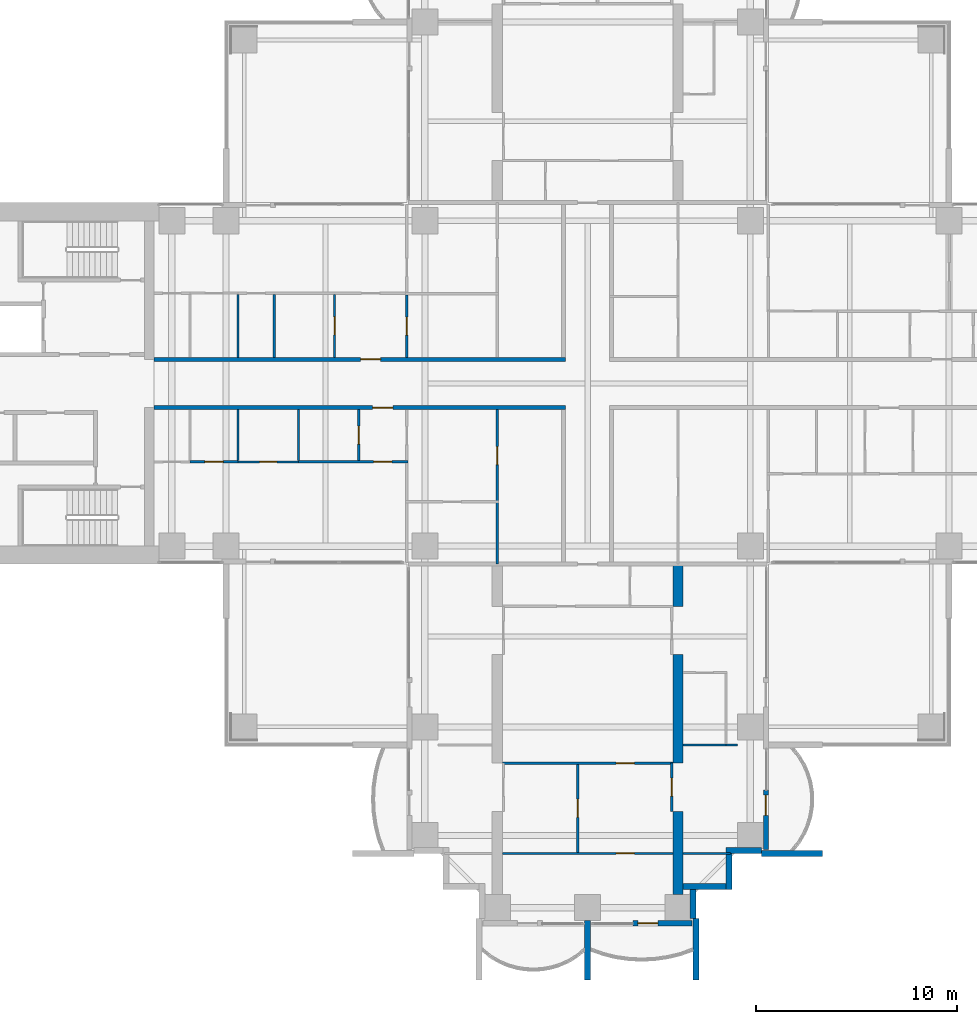
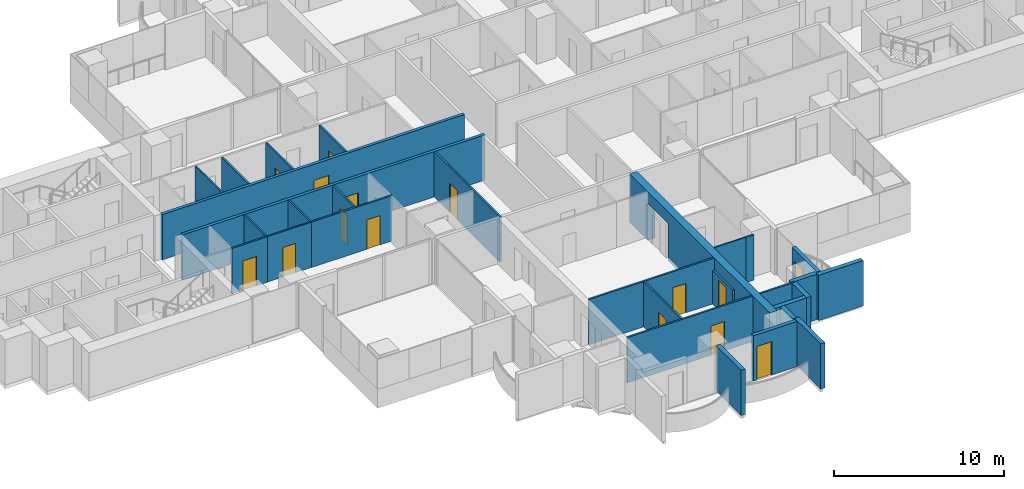
# One storey, part 11 of 20: 30 walls, 15 doors, 15 openings.
"""IFC4 building model written with IfcOpenShell, lengths in metres."""

from ifc_helpers import new_model, si_unit, direction, frame, frame_2d, origin, place, context, subcontext, project, spatial, polyline, rectangle, outline, extrude, material, layer, layer_set, material_profile, profile_set, type_object, element, fill, save


model = new_model("IFC4")

# Units and contexts
model_context = context("Model", 3, precision=1e-05, world=origin(), true_north=direction((0.0, 1.0)))
body_context = subcontext(model_context, "Body", "Model", "MODEL_VIEW")
ifc_project = project(units=[si_unit("LENGTHUNIT", "METRE"), si_unit("AREAUNIT", "SQUARE_METRE"), si_unit("VOLUMEUNIT", "CUBIC_METRE"), si_unit("PLANEANGLEUNIT", "RADIAN"), si_unit("MASSUNIT", "GRAM", prefix="KILO")], contexts=[model_context])

# Site, building, storey
site_placement = place(None, origin())
site = spatial("IfcSite", under=ifc_project, at=site_placement, CompositionType="ELEMENT")
building_placement = place(site_placement, origin())
building = spatial("IfcBuilding", under=site, at=building_placement, Name="Perihelion Cross Residences", CompositionType="ELEMENT")
storey_placement = place(building_placement, frame((0.0, 0.0, 71.5)))
storey = spatial("IfcBuildingStorey", under=building, at=storey_placement, Name="L15", CompositionType="ELEMENT", Elevation=71.5)

# Wall, opening, door
ifc_material_1 = material(Name="Plasterboard partition")
ifc_layer_1 = layer(ifc_material_1, 0.199951171875)
ifc_layer_set_1 = layer_set([ifc_layer_1], Name="Apartment separation wall 200")
wall_type_1 = type_object("IfcWallType", Name="Apartment separation wall 200", PredefinedType="PARTITIONING", material=ifc_layer_set_1)
wall_1_placement = place(storey_placement, frame((-21.60009765625, 1.199951171875, 0.0), z_axis=(0.0, 0.0, 1.0), x_axis=(1.0, 0.0, 0.0)))
wall_1 = element("IfcWall", 1, at=wall_1_placement, inside=storey, type_object=wall_type_1, Name="Partition L15 W005", PredefinedType="PARTITIONING", context=body_context, shape_type="SweptSolid", body=[
    extrude(rectangle(XDim=20.5, YDim=0.199951171875, at=frame_2d((10.25, 0.0))), origin(), (0.0, 0.0, 1.0), 3.25),
])
opening_1_placement = place(wall_1_placement, frame((10.300048828125, 0.0, 0.0)))
opening_1 = element("IfcOpeningElement", 2, at=opening_1_placement, cuts=wall_1, Name="Opening L15.A48", PredefinedType="OPENING", context=body_context, shape_type="SweptSolid", body=[
    extrude(rectangle(XDim=1.0, YDim=2.10009765625, at=frame_2d((0.5, 1.050048828125))), frame((0.0, 0.10986328125, 0.0), z_axis=(0.0, -1.0, 0.0), x_axis=(1.0, 0.0, 0.0)), (0.0, 0.0, 1.0), 0.219970703125),
])
ifc_material_2 = material(Name="Timber door leaf", Category="wood")
door_type_1 = type_object("IfcDoorType", Name="Flat entrance door 1000 x 2100", OperationType="SINGLE_SWING_LEFT", PredefinedType="DOOR", material=ifc_material_2)
door_1_placement = place(opening_1_placement, origin())
door_1 = element("IfcDoor", 3, at=door_1_placement, inside=storey, type_object=door_type_1, Name="Door L15.A48", OperationType="SINGLE_SWING_RIGHT", OverallHeight=2.10009765625, OverallWidth=1.0, PredefinedType="DOOR", context=body_context, shape_type="SweptSolid", body=[
    extrude(rectangle(XDim=1.0, YDim=2.10009765625, at=frame_2d((0.5, 1.050048828125))), frame((0.0, 0.02490234375, 0.0), z_axis=(0.0, -1.0, 0.0), x_axis=(1.0, 0.0, 0.0)), (0.0, 0.0, 1.0), 0.050048828125),
])
fill(opening_1, door_1)

wall_2_placement = place(storey_placement, frame((-1.10009765625, -1.199951171875, 0.0), z_axis=(0.0, 0.0, 1.0), x_axis=(-1.0, 0.0, 0.0)))
wall_2 = element("IfcWall", 4, at=wall_2_placement, inside=storey, type_object=wall_type_1, Name="Partition L15 W007", PredefinedType="PARTITIONING", context=body_context, shape_type="SweptSolid", body=[
    extrude(rectangle(XDim=20.5, YDim=0.199951171875, at=frame_2d((10.25, 0.0))), origin(), (0.0, 0.0, 1.0), 3.25),
])
opening_2_placement = place(wall_2_placement, frame((8.60009765625, 0.0, 0.0)))
opening_2 = element("IfcOpeningElement", 5, at=opening_2_placement, cuts=wall_2, Name="Opening L15.A49", PredefinedType="OPENING", context=body_context, shape_type="SweptSolid", body=[
    extrude(rectangle(XDim=1.0, YDim=2.10009765625, at=frame_2d((0.5, 1.050048828125))), frame((0.0, 0.10986328125, 0.0), z_axis=(0.0, -1.0, 0.0), x_axis=(1.0, 0.0, 0.0)), (0.0, 0.0, 1.0), 0.219970703125),
])
door_2_placement = place(opening_2_placement, origin())
door_2 = element("IfcDoor", 6, at=door_2_placement, inside=storey, type_object=door_type_1, Name="Door L15.A49", OperationType="SINGLE_SWING_LEFT", OverallHeight=2.10009765625, OverallWidth=1.0, PredefinedType="DOOR", context=body_context, shape_type="SweptSolid", body=[
    extrude(rectangle(XDim=1.0, YDim=2.10009765625, at=frame_2d((0.5, 1.050048828125))), frame((0.0, 0.02490234375, 0.0), z_axis=(0.0, -1.0, 0.0), x_axis=(1.0, 0.0, 0.0)), (0.0, 0.0, 1.0), 0.050048828125),
])
fill(opening_2, door_2)

ifc_material_3 = material(Name="Concrete C30/37, bronze-clad", Category="concrete")
ifc_layer_2 = layer(ifc_material_3, 0.25)
ifc_layer_set_2 = layer_set([ifc_layer_2], Name="Bronze-clad pier wall 250")
wall_type_2 = type_object("IfcWallType", Name="Bronze-clad pier wall 250", PredefinedType="SOLIDWALL", material=ifc_layer_set_2)
wall_3_placement = place(storey_placement, frame((2.25, -26.875, 0.0), z_axis=(0.0, 0.0, 1.0), x_axis=(1.0, 0.0, 0.0)))
wall_3 = element("IfcWall", 7, at=wall_3_placement, inside=storey, type_object=wall_type_2, Name="Wall FW1 L15 south tip south bay 2 pier", PredefinedType="SOLIDWALL", context=body_context, shape_type="SweptSolid", body=[
    extrude(rectangle(XDim=2.949951171875, YDim=0.25, at=frame_2d((1.47509765625, 0.0))), origin(), (0.0, 0.0, 1.0), 3.25),
])
opening_3_placement = place(wall_3_placement, frame((0.25, 0.0, 0.0)))
opening_3 = element("IfcOpeningElement", 8, at=opening_3_placement, cuts=wall_3, Name="Opening L15.E13", PredefinedType="OPENING", context=body_context, shape_type="SweptSolid", body=[
    extrude(rectangle(XDim=1.0, YDim=2.39990234375, at=frame_2d((0.5, 1.199951171875))), frame((0.0, 0.135009765625, 0.0), z_axis=(0.0, -1.0, 0.0), x_axis=(1.0, 0.0, 0.0)), (0.0, 0.0, 1.0), 0.27001953125),
])
ifc_material_4 = material(Name="Bronze anodised aluminium, glazed", Category="aluminium")
door_type_2 = type_object("IfcDoorType", Name="Balcony door 1000 x 2400", OperationType="NOTDEFINED", PredefinedType="DOOR", material=ifc_material_4)
door_3_placement = place(opening_3_placement, origin())
door_3 = element("IfcDoor", 9, at=door_3_placement, inside=storey, type_object=door_type_2, Name="Door L15.E13 south tip south bay 2", OperationType="SINGLE_SWING_RIGHT", OverallHeight=2.39990234375, OverallWidth=1.0, PredefinedType="DOOR", context=body_context, shape_type="SweptSolid", body=[
    extrude(rectangle(XDim=1.0, YDim=2.39990234375, at=frame_2d((0.5, 1.199951171875))), frame((0.0, 0.02490234375, 0.0), z_axis=(0.0, -1.0, 0.0), x_axis=(1.0, 0.0, 0.0)), (0.0, 0.0, 1.0), 0.050048828125),
])
fill(opening_3, door_3)

wall_4_placement = place(storey_placement, frame((8.875, -23.199951171875, 0.0), z_axis=(0.0, 0.0, 1.0), x_axis=(0.0, 1.0, 0.0)))
wall_4 = element("IfcWall", 10, at=wall_4_placement, inside=storey, type_object=wall_type_2, Name="Wall FW1 L15 south side east bay 1 pier", PredefinedType="SOLIDWALL", context=body_context, shape_type="SweptSolid", body=[
    extrude(rectangle(XDim=2.949951171875, YDim=0.25, at=frame_2d((1.47509765625, 0.0))), origin(), (0.0, 0.0, 1.0), 3.25),
])
opening_4_placement = place(wall_4_placement, frame((1.699951171875, 0.0, 0.0)))
opening_4 = element("IfcOpeningElement", 11, at=opening_4_placement, cuts=wall_4, Name="Opening L15.E14", PredefinedType="OPENING", context=body_context, shape_type="SweptSolid", body=[
    extrude(rectangle(XDim=1.0, YDim=2.39990234375, at=frame_2d((0.5, 1.199951171875))), frame((0.0, 0.135009765625, 0.0), z_axis=(0.0, -1.0, 0.0), x_axis=(1.0, 0.0, 0.0)), (0.0, 0.0, 1.0), 0.27001953125),
])
door_4_placement = place(opening_4_placement, origin())
door_4 = element("IfcDoor", 12, at=door_4_placement, inside=storey, type_object=door_type_2, Name="Door L15.E14 south side east bay 1", OperationType="SINGLE_SWING_LEFT", OverallHeight=2.39990234375, OverallWidth=1.0, PredefinedType="DOOR", context=body_context, shape_type="SweptSolid", body=[
    extrude(rectangle(XDim=1.0, YDim=2.39990234375, at=frame_2d((0.5, 1.199951171875))), frame((0.0, 0.02490234375, 0.0), z_axis=(0.0, -1.0, 0.0), x_axis=(1.0, 0.0, 0.0)), (0.0, 0.0, 1.0), 0.050048828125),
])
fill(opening_4, door_4)

# Walls
ifc_material_5 = material(Name="Concrete C30/37, bronze-clad", Category="concrete")
ifc_layer_3 = layer(ifc_material_5, 0.300048828125)
ifc_layer_set_3 = layer_set([ifc_layer_3], Name="Bronze-clad serration wall 300")
wall_type_3 = type_object("IfcWallType", Name="Bronze-clad serration wall 300", PredefinedType="SOLIDWALL", material=ifc_layer_set_3)
wall_5_placement = place(storey_placement, frame((5.25, -26.64990234375, 0.0), z_axis=(0.0, 0.0, 1.0), x_axis=(0.0, 1.0, 0.0)))
element("IfcWall", 13, at=wall_5_placement, inside=storey, type_object=wall_type_3, Name="Wall SR1 L15 south corner south-east 1", PredefinedType="SOLIDWALL", context=body_context, shape_type="SweptSolid", body=[
    extrude(rectangle(XDim=1.449951171875, YDim=0.300048828125, at=frame_2d((0.72509765625, 0.0))), origin(), (0.0, 0.0, 1.0), 3.25),
])
wall_6_placement = place(storey_placement, frame((4.75, -25.050048828125, 0.0), z_axis=(0.0, 0.0, 1.0), x_axis=(1.0, 0.0, 0.0)))
element("IfcWall", 14, at=wall_6_placement, inside=storey, type_object=wall_type_3, Name="Wall SR1 L15 south corner south-east 2", PredefinedType="SOLIDWALL", context=body_context, shape_type="SweptSolid", body=[
    extrude(rectangle(XDim=2.14990234375, YDim=0.300048828125, at=frame_2d((1.074951171875, 0.0))), origin(), (0.0, 0.0, 1.0), 3.25),
])
wall_7_placement = place(storey_placement, frame((7.050048828125, -25.199951171875, 0.0), z_axis=(0.0, 0.0, 1.0), x_axis=(0.0, 1.0, 0.0)))
element("IfcWall", 15, at=wall_7_placement, inside=storey, type_object=wall_type_3, Name="Wall SR1 L15 south corner south-east 3", PredefinedType="SOLIDWALL", context=body_context, shape_type="SweptSolid", body=[
    extrude(rectangle(XDim=1.800048828125, YDim=0.300048828125, at=frame_2d((0.89990234375, 0.0))), origin(), (0.0, 0.0, 1.0), 3.25),
])
wall_8_placement = place(storey_placement, frame((6.89990234375, -23.25, 0.0), z_axis=(0.0, 0.0, 1.0), x_axis=(1.0, 0.0, 0.0)))
element("IfcWall", 16, at=wall_8_placement, inside=storey, type_object=wall_type_3, Name="Wall SR1 L15 south corner south-east 4", PredefinedType="SOLIDWALL", context=body_context, shape_type="SweptSolid", body=[
    extrude(rectangle(XDim=1.75, YDim=0.300048828125, at=frame_2d((0.875, 0.0))), origin(), (0.0, 0.0, 1.0), 3.25),
])

# Wall, opening, door
ifc_material_6 = material(Name="Plasterboard partition")
ifc_layer_4 = layer(ifc_material_6, 0.1201171875)
ifc_layer_set_4 = layer_set([ifc_layer_4], Name="Infill panel 120")
wall_type_4 = type_object("IfcWallType", Name="Infill panel 120", PredefinedType="PARTITIONING", material=ifc_layer_set_4)
wall_9_placement = place(storey_placement, frame((4.18994140625, -18.89990234375, 0.0), z_axis=(0.0, 0.0, 1.0), x_axis=(0.0, -1.0, 0.0)))
wall_9 = element("IfcWall", 17, at=wall_9_placement, inside=storey, type_object=wall_type_4, Name="Partition L15 WI06", PredefinedType="PARTITIONING", context=body_context, shape_type="SweptSolid", body=[
    extrude(rectangle(XDim=2.400146484375, YDim=0.1201171875, at=frame_2d((1.2001953125, 0.0))), origin(), (0.0, 0.0, 1.0), 2.39990234375),
])
opening_5_placement = place(wall_9_placement, frame((0.75, 0.0, 0.0)))
opening_5 = element("IfcOpeningElement", 18, at=opening_5_placement, cuts=wall_9, Name="Opening L15.A55", PredefinedType="OPENING", context=body_context, shape_type="SweptSolid", body=[
    extrude(rectangle(XDim=0.89990234375, YDim=2.10009765625, at=frame_2d((0.449951171875, 1.050048828125))), frame((0.0, 0.070068359375, 0.0), z_axis=(0.0, -1.0, 0.0), x_axis=(1.0, 0.0, 0.0)), (0.0, 0.0, 1.0), 0.14013671875),
])
ifc_material_7 = material(Name="Timber door leaf", Category="wood")
door_type_3 = type_object("IfcDoorType", Name="Interior room door 900 x 2100", OperationType="SINGLE_SWING_LEFT", PredefinedType="DOOR", material=ifc_material_7)
door_5_placement = place(opening_5_placement, origin())
door_5 = element("IfcDoor", 19, at=door_5_placement, inside=storey, type_object=door_type_3, Name="Door L15.A55", OperationType="SINGLE_SWING_RIGHT", OverallHeight=2.10009765625, OverallWidth=0.89990234375, PredefinedType="DOOR", context=body_context, shape_type="SweptSolid", body=[
    extrude(rectangle(XDim=0.89990234375, YDim=2.10009765625, at=frame_2d((0.449951171875, 1.050048828125))), frame((0.0, 0.02490234375, 0.0), z_axis=(0.0, -1.0, 0.0), x_axis=(1.0, 0.0, 0.0)), (0.0, 0.0, 1.0), 0.050048828125),
])
fill(opening_5, door_5)

ifc_material_8 = material(Name="Plasterboard partition")
ifc_layer_5 = layer(ifc_material_8, 0.1201171875)
ifc_layer_set_5 = layer_set([ifc_layer_5], Name="Partition wall 120")
wall_type_5 = type_object("IfcWallType", Name="Partition wall 120", PredefinedType="PARTITIONING", material=ifc_layer_set_5)
wall_10_placement = place(storey_placement, frame((-12.60009765625, 1.300048828125, 0.0), z_axis=(0.0, 0.0, 1.0), x_axis=(0.0, 1.0, 0.0)))
wall_10 = element("IfcWall", 20, at=wall_10_placement, inside=storey, type_object=wall_type_5, Name="Partition L15 W031", PredefinedType="PARTITIONING", context=body_context, shape_type="SweptSolid", body=[
    extrude(rectangle(XDim=3.139892578125, YDim=0.1201171875, at=frame_2d((1.56982421875, 0.0))), origin(), (0.0, 0.0, 1.0), 3.25),
])
opening_6_placement = place(wall_10_placement, frame((1.1201171875, 0.0, 0.0)))
opening_6 = element("IfcOpeningElement", 21, at=opening_6_placement, cuts=wall_10, Name="Opening L15.A18", PredefinedType="OPENING", context=body_context, shape_type="SweptSolid", body=[
    extrude(rectangle(XDim=0.89990234375, YDim=2.10009765625, at=frame_2d((0.449951171875, 1.050048828125))), frame((0.0, 0.070068359375, 0.0), z_axis=(0.0, -1.0, 0.0), x_axis=(1.0, 0.0, 0.0)), (0.0, 0.0, 1.0), 0.14013671875),
])
door_6_placement = place(opening_6_placement, origin())
door_6 = element("IfcDoor", 22, at=door_6_placement, inside=storey, type_object=door_type_3, Name="Door L15.A18", OperationType="SINGLE_SWING_RIGHT", OverallHeight=2.10009765625, OverallWidth=0.89990234375, PredefinedType="DOOR", context=body_context, shape_type="SweptSolid", body=[
    extrude(rectangle(XDim=0.89990234375, YDim=2.10009765625, at=frame_2d((0.449951171875, 1.050048828125))), frame((0.0, 0.02490234375, 0.0), z_axis=(0.0, -1.0, 0.0), x_axis=(1.0, 0.0, 0.0)), (0.0, 0.0, 1.0), 0.050048828125),
])
fill(opening_6, door_6)

wall_11_placement = place(storey_placement, frame((-9.0, 4.416015625, 0.0), z_axis=(0.0, 0.0, 1.0), x_axis=(0.0, -1.0, 0.0)))
wall_11 = element("IfcWall", 23, at=wall_11_placement, inside=storey, type_object=wall_type_5, Name="Partition L15 W033", PredefinedType="PARTITIONING", context=body_context, shape_type="SweptSolid", body=[
    extrude(rectangle(XDim=3.115966796875, YDim=0.1201171875, at=frame_2d((1.55810546875, 0.0))), origin(), (0.0, 0.0, 1.0), 3.25),
])
opening_7_placement = place(wall_11_placement, frame((1.10791015625, 0.0, 0.0)))
opening_7 = element("IfcOpeningElement", 24, at=opening_7_placement, cuts=wall_11, Name="Opening L15.A19", PredefinedType="OPENING", context=body_context, shape_type="SweptSolid", body=[
    extrude(rectangle(XDim=0.89990234375, YDim=2.10009765625, at=frame_2d((0.449951171875, 1.050048828125))), frame((0.0, 0.070068359375, 0.0), z_axis=(0.0, -1.0, 0.0), x_axis=(1.0, 0.0, 0.0)), (0.0, 0.0, 1.0), 0.14013671875),
])
door_7_placement = place(opening_7_placement, origin())
door_7 = element("IfcDoor", 25, at=door_7_placement, inside=storey, type_object=door_type_3, Name="Door L15.A19", OperationType="SINGLE_SWING_RIGHT", OverallHeight=2.10009765625, OverallWidth=0.89990234375, PredefinedType="DOOR", context=body_context, shape_type="SweptSolid", body=[
    extrude(rectangle(XDim=0.89990234375, YDim=2.10009765625, at=frame_2d((0.449951171875, 1.050048828125))), frame((0.0, 0.02490234375, 0.0), z_axis=(0.0, -1.0, 0.0), x_axis=(1.0, 0.0, 0.0)), (0.0, 0.0, 1.0), 0.050048828125),
])
fill(opening_7, door_7)

# Wall
wall_12_placement = place(storey_placement, frame((-15.60009765625, 1.300048828125, 0.0), z_axis=(0.0, 0.0, 1.0), x_axis=(0.0, 1.0, 0.0)))
element("IfcWall", 26, at=wall_12_placement, inside=storey, type_object=wall_type_5, Name="Partition L15 W034", PredefinedType="PARTITIONING", context=body_context, shape_type="SweptSolid", body=[
    extrude(rectangle(XDim=3.139892578125, YDim=0.1201171875, at=frame_2d((1.56982421875, 0.0))), origin(), (0.0, 0.0, 1.0), 3.25),
])

# Wall, opening, door
wall_13_placement = place(storey_placement, frame((-11.39990234375, -3.840087890625, 0.0), z_axis=(0.0, 0.0, 1.0), x_axis=(0.0, 1.0, 0.0)))
wall_13 = element("IfcWall", 27, at=wall_13_placement, inside=storey, type_object=wall_type_5, Name="Partition L15 W042", PredefinedType="PARTITIONING", context=body_context, shape_type="SweptSolid", body=[
    extrude(rectangle(XDim=2.5400390625, YDim=0.1201171875, at=frame_2d((1.27001953125, 0.0))), origin(), (0.0, 0.0, 1.0), 3.25),
])
opening_8_placement = place(wall_13_placement, frame((0.820068359375, 0.0, 0.0)))
opening_8 = element("IfcOpeningElement", 28, at=opening_8_placement, cuts=wall_13, Name="Opening L15.A27", PredefinedType="OPENING", context=body_context, shape_type="SweptSolid", body=[
    extrude(rectangle(XDim=0.89990234375, YDim=2.10009765625, at=frame_2d((0.449951171875, 1.050048828125))), frame((0.0, 0.070068359375, 0.0), z_axis=(0.0, -1.0, 0.0), x_axis=(1.0, 0.0, 0.0)), (0.0, 0.0, 1.0), 0.14013671875),
])
door_8_placement = place(opening_8_placement, origin())
door_8 = element("IfcDoor", 29, at=door_8_placement, inside=storey, type_object=door_type_3, Name="Door L15.A27", OperationType="SINGLE_SWING_LEFT", OverallHeight=2.10009765625, OverallWidth=0.89990234375, PredefinedType="DOOR", context=body_context, shape_type="SweptSolid", body=[
    extrude(rectangle(XDim=0.89990234375, YDim=2.10009765625, at=frame_2d((0.449951171875, 1.050048828125))), frame((0.0, 0.02490234375, 0.0), z_axis=(0.0, -1.0, 0.0), x_axis=(1.0, 0.0, 0.0)), (0.0, 0.0, 1.0), 0.050048828125),
])
fill(opening_8, door_8)

wall_14_placement = place(storey_placement, frame((-8.93994140625, -3.89990234375, 0.0), z_axis=(0.0, 0.0, 1.0), x_axis=(-1.0, 0.0, 0.0)))
wall_14 = element("IfcWall", 30, at=wall_14_placement, inside=storey, type_object=wall_type_5, Name="Partition L15 W043", PredefinedType="PARTITIONING", context=body_context, shape_type="SweptSolid", body=[
    extrude(rectangle(XDim=5.4599609375, YDim=0.1201171875, at=frame_2d((2.72998046875, 0.0))), origin(), (0.0, 0.0, 1.0), 3.25),
])
opening_9_placement = place(wall_14_placement, frame((0.81005859375, 0.0, 0.0)))
opening_9 = element("IfcOpeningElement", 31, at=opening_9_placement, cuts=wall_14, Name="Opening L15.A30", PredefinedType="OPENING", context=body_context, shape_type="SweptSolid", body=[
    extrude(rectangle(XDim=0.89990234375, YDim=2.10009765625, at=frame_2d((0.449951171875, 1.050048828125))), frame((0.0, 0.070068359375, 0.0), z_axis=(0.0, -1.0, 0.0), x_axis=(1.0, 0.0, 0.0)), (0.0, 0.0, 1.0), 0.14013671875),
])
door_9_placement = place(opening_9_placement, origin())
door_9 = element("IfcDoor", 32, at=door_9_placement, inside=storey, type_object=door_type_3, Name="Door L15.A30", OperationType="SINGLE_SWING_LEFT", OverallHeight=2.10009765625, OverallWidth=0.89990234375, PredefinedType="DOOR", context=body_context, shape_type="SweptSolid", body=[
    extrude(rectangle(XDim=0.89990234375, YDim=2.10009765625, at=frame_2d((0.449951171875, 1.050048828125))), frame((0.0, 0.02490234375, 0.0), z_axis=(0.0, -1.0, 0.0), x_axis=(1.0, 0.0, 0.0)), (0.0, 0.0, 1.0), 0.050048828125),
])
fill(opening_9, door_9)

wall_15_placement = place(storey_placement, frame((-17.39990234375, -3.89990234375, 0.0), z_axis=(0.0, 0.0, 1.0), x_axis=(-1.0, 0.0, 0.0)))
wall_15 = element("IfcWall", 33, at=wall_15_placement, inside=storey, type_object=wall_type_5, Name="Partition L15 W049", PredefinedType="PARTITIONING", context=body_context, shape_type="SweptSolid", body=[
    extrude(rectangle(XDim=2.400146484375, YDim=0.1201171875, at=frame_2d((1.2001953125, 0.0))), origin(), (0.0, 0.0, 1.0), 3.25),
])
opening_10_placement = place(wall_15_placement, frame((0.75, 0.0, 0.0)))
opening_10 = element("IfcOpeningElement", 34, at=opening_10_placement, cuts=wall_15, Name="Opening L15.A31", PredefinedType="OPENING", context=body_context, shape_type="SweptSolid", body=[
    extrude(rectangle(XDim=0.89990234375, YDim=2.10009765625, at=frame_2d((0.449951171875, 1.050048828125))), frame((0.0, 0.070068359375, 0.0), z_axis=(0.0, -1.0, 0.0), x_axis=(1.0, 0.0, 0.0)), (0.0, 0.0, 1.0), 0.14013671875),
])
door_10_placement = place(opening_10_placement, origin())
door_10 = element("IfcDoor", 35, at=door_10_placement, inside=storey, type_object=door_type_3, Name="Door L15.A31", OperationType="SINGLE_SWING_LEFT", OverallHeight=2.10009765625, OverallWidth=0.89990234375, PredefinedType="DOOR", context=body_context, shape_type="SweptSolid", body=[
    extrude(rectangle(XDim=0.89990234375, YDim=2.10009765625, at=frame_2d((0.449951171875, 1.050048828125))), frame((0.0, 0.02490234375, 0.0), z_axis=(0.0, -1.0, 0.0), x_axis=(1.0, 0.0, 0.0)), (0.0, 0.0, 1.0), 0.050048828125),
])
fill(opening_10, door_10)

wall_16_placement = place(storey_placement, frame((-4.5, -1.300048828125, 0.0), z_axis=(0.0, 0.0, 1.0), x_axis=(0.0, -1.0, 0.0)))
wall_16 = element("IfcWall", 36, at=wall_16_placement, inside=storey, type_object=wall_type_5, Name="Partition L15 W052", PredefinedType="PARTITIONING", context=body_context, shape_type="SweptSolid", body=[
    extrude(rectangle(XDim=7.699951171875, YDim=0.1201171875, at=frame_2d((3.85009765625, 0.0))), origin(), (0.0, 0.0, 1.0), 3.25),
])
opening_11_placement = place(wall_16_placement, frame((1.840087890625, 0.0, 0.0)))
opening_11 = element("IfcOpeningElement", 37, at=opening_11_placement, cuts=wall_16, Name="Opening L15.A25", PredefinedType="OPENING", context=body_context, shape_type="SweptSolid", body=[
    extrude(rectangle(XDim=0.89990234375, YDim=2.10009765625, at=frame_2d((0.449951171875, 1.050048828125))), frame((0.0, 0.070068359375, 0.0), z_axis=(0.0, -1.0, 0.0), x_axis=(1.0, 0.0, 0.0)), (0.0, 0.0, 1.0), 0.14013671875),
])
door_11_placement = place(opening_11_placement, origin())
door_11 = element("IfcDoor", 38, at=door_11_placement, inside=storey, type_object=door_type_3, Name="Door L15.A25", OperationType="SINGLE_SWING_RIGHT", OverallHeight=2.10009765625, OverallWidth=0.89990234375, PredefinedType="DOOR", context=body_context, shape_type="SweptSolid", body=[
    extrude(rectangle(XDim=0.89990234375, YDim=2.10009765625, at=frame_2d((0.449951171875, 1.050048828125))), frame((0.0, 0.02490234375, 0.0), z_axis=(0.0, -1.0, 0.0), x_axis=(1.0, 0.0, 0.0)), (0.0, 0.0, 1.0), 0.050048828125),
])
fill(opening_11, door_11)

wall_17_placement = place(storey_placement, frame((4.25, -18.89990234375, 0.0), z_axis=(0.0, 0.0, 1.0), x_axis=(-1.0, 0.0, 0.0)))
wall_17 = element("IfcWall", 39, at=wall_17_placement, inside=storey, type_object=wall_type_5, Name="Partition L15 W069", PredefinedType="PARTITIONING", context=body_context, shape_type="SweptSolid", body=[
    extrude(rectangle(XDim=8.5, YDim=0.1201171875, at=frame_2d((4.25, 0.0))), origin(), (0.0, 0.0, 1.0), 3.25),
])
opening_12_placement = place(wall_17_placement, frame((1.925048828125, 0.0, 0.0)))
opening_12 = element("IfcOpeningElement", 40, at=opening_12_placement, cuts=wall_17, Name="Opening L15.A42", PredefinedType="OPENING", context=body_context, shape_type="SweptSolid", body=[
    extrude(rectangle(XDim=0.89990234375, YDim=2.10009765625, at=frame_2d((0.449951171875, 1.050048828125))), frame((0.0, 0.070068359375, 0.0), z_axis=(0.0, -1.0, 0.0), x_axis=(1.0, 0.0, 0.0)), (0.0, 0.0, 1.0), 0.14013671875),
])
door_12_placement = place(opening_12_placement, origin())
door_12 = element("IfcDoor", 41, at=door_12_placement, inside=storey, type_object=door_type_3, Name="Door L15.A42", OperationType="SINGLE_SWING_LEFT", OverallHeight=2.10009765625, OverallWidth=0.89990234375, PredefinedType="DOOR", context=body_context, shape_type="SweptSolid", body=[
    extrude(rectangle(XDim=0.89990234375, YDim=2.10009765625, at=frame_2d((0.449951171875, 1.050048828125))), frame((0.0, 0.02490234375, 0.0), z_axis=(0.0, -1.0, 0.0), x_axis=(1.0, 0.0, 0.0)), (0.0, 0.0, 1.0), 0.050048828125),
])
fill(opening_12, door_12)

wall_18_placement = place(storey_placement, frame((-0.5, -23.340087890625, 0.0), z_axis=(0.0, 0.0, 1.0), x_axis=(0.0, 1.0, 0.0)))
wall_18 = element("IfcWall", 42, at=wall_18_placement, inside=storey, type_object=wall_type_5, Name="Partition L15 W070", PredefinedType="PARTITIONING", context=body_context, shape_type="SweptSolid", body=[
    extrude(rectangle(XDim=4.380126953125, YDim=0.1201171875, at=frame_2d((2.18994140625, 0.0))), origin(), (0.0, 0.0, 1.0), 3.25),
])
opening_13_placement = place(wall_18_placement, frame((1.739990234375, 0.0, 0.0)))
opening_13 = element("IfcOpeningElement", 43, at=opening_13_placement, cuts=wall_18, Name="Opening L15.A43", PredefinedType="OPENING", context=body_context, shape_type="SweptSolid", body=[
    extrude(rectangle(XDim=0.89990234375, YDim=2.10009765625, at=frame_2d((0.449951171875, 1.050048828125))), frame((0.0, 0.070068359375, 0.0), z_axis=(0.0, -1.0, 0.0), x_axis=(1.0, 0.0, 0.0)), (0.0, 0.0, 1.0), 0.14013671875),
])
door_13_placement = place(opening_13_placement, origin())
door_13 = element("IfcDoor", 44, at=door_13_placement, inside=storey, type_object=door_type_3, Name="Door L15.A43", OperationType="SINGLE_SWING_RIGHT", OverallHeight=2.10009765625, OverallWidth=0.89990234375, PredefinedType="DOOR", context=body_context, shape_type="SweptSolid", body=[
    extrude(rectangle(XDim=0.89990234375, YDim=2.10009765625, at=frame_2d((0.449951171875, 1.050048828125))), frame((0.0, 0.02490234375, 0.0), z_axis=(0.0, -1.0, 0.0), x_axis=(1.0, 0.0, 0.0)), (0.0, 0.0, 1.0), 0.050048828125),
])
fill(opening_13, door_13)

wall_19_placement = place(storey_placement, frame((4.25, -23.39990234375, 0.0), z_axis=(0.0, 0.0, 1.0), x_axis=(-1.0, 0.0, 0.0)))
wall_19 = element("IfcWall", 45, at=wall_19_placement, inside=storey, type_object=wall_type_5, Name="Partition L15 W071", PredefinedType="PARTITIONING", context=body_context, shape_type="SweptSolid", body=[
    extrude(rectangle(XDim=8.5, YDim=0.1201171875, at=frame_2d((4.25, 0.0))), origin(), (0.0, 0.0, 1.0), 3.25),
])
opening_14_placement = place(wall_19_placement, frame((1.925048828125, 0.0, 0.0)))
opening_14 = element("IfcOpeningElement", 46, at=opening_14_placement, cuts=wall_19, Name="Opening L15.A44", PredefinedType="OPENING", context=body_context, shape_type="SweptSolid", body=[
    extrude(rectangle(XDim=0.89990234375, YDim=2.10009765625, at=frame_2d((0.449951171875, 1.050048828125))), frame((0.0, 0.070068359375, 0.0), z_axis=(0.0, -1.0, 0.0), x_axis=(1.0, 0.0, 0.0)), (0.0, 0.0, 1.0), 0.14013671875),
])
door_14_placement = place(opening_14_placement, origin())
door_14 = element("IfcDoor", 47, at=door_14_placement, inside=storey, type_object=door_type_3, Name="Door L15.A44", OperationType="SINGLE_SWING_RIGHT", OverallHeight=2.10009765625, OverallWidth=0.89990234375, PredefinedType="DOOR", context=body_context, shape_type="SweptSolid", body=[
    extrude(rectangle(XDim=0.89990234375, YDim=2.10009765625, at=frame_2d((0.449951171875, 1.050048828125))), frame((0.0, 0.02490234375, 0.0), z_axis=(0.0, -1.0, 0.0), x_axis=(1.0, 0.0, 0.0)), (0.0, 0.0, 1.0), 0.050048828125),
])
fill(opening_14, door_14)

# Walls
wall_20_placement = place(storey_placement, frame((7.449951171875, -18.0, 0.0), z_axis=(0.0, 0.0, 1.0), x_axis=(-1.0, 0.0, 0.0)))
element("IfcWall", 48, at=wall_20_placement, inside=storey, type_object=wall_type_5, Name="Partition L15 W074", PredefinedType="PARTITIONING", context=body_context, shape_type="SweptSolid", body=[
    extrude(rectangle(XDim=0.550048828125, YDim=0.1201171875, at=frame_2d((0.27490234375, 0.0))), origin(), (0.0, 0.0, 1.0), 3.25),
])
wall_21_placement = place(storey_placement, frame((7.1201171875, -23.39990234375, 0.0), z_axis=(0.0, 0.0, 1.0), x_axis=(-1.0, 0.0, 0.0)))
element("IfcWall", 49, at=wall_21_placement, inside=storey, type_object=wall_type_5, Name="Partition L15 W076", PredefinedType="PARTITIONING", context=body_context, shape_type="SweptSolid", body=[
    extrude(rectangle(XDim=2.3701171875, YDim=0.1201171875, at=frame_2d((1.18505859375, 0.0))), origin(), (0.0, 0.0, 1.0), 3.25),
])
ifc_material_9 = material(Name="Precast concrete C50/60", Category="concrete")
ifc_layer_6 = layer(ifc_material_9, 0.300048828125)
ifc_layer_set_6 = layer_set([ifc_layer_6], Name="Precast concrete C50/60 blade wall 300")
wall_type_6 = type_object("IfcWallType", Name="Precast concrete C50/60 blade wall 300", PredefinedType="SOLIDWALL", material=ifc_layer_set_6)
wall_22_placement = place(storey_placement, frame((0.0, -26.75, 0.0), z_axis=(0.0, 0.0, 1.0), x_axis=(0.0, -1.0, 0.0)))
element("IfcWall", 50, at=wall_22_placement, inside=storey, type_object=wall_type_6, Name="Wall BL1 L15 no. 9", PredefinedType="SOLIDWALL", context=body_context, shape_type="SweptSolid", body=[
    extrude(rectangle(XDim=2.949951171875, YDim=0.300048828125, at=frame_2d((1.47509765625, 0.0))), origin(), (0.0, 0.0, 1.0), 3.25),
])
for number, where, z_axis, x_axis, name in (
    (51, (5.39990234375, -26.64990234375, 0.0), (0.0, 0.0, 1.0), (0.0, -1.0, 0.0), "Wall BL1 L15 no. 13"),
    (52, (8.64990234375, -23.39990234375, 0.0), (0.0, 0.0, 1.0), (1.0, 0.0, 0.0), "Wall BL1 L15 no. 16"),
):
    element("IfcWall", number, at=place(storey_placement, frame(where, z_axis=z_axis, x_axis=x_axis)), inside=storey, type_object=wall_type_6, Name=name, PredefinedType="SOLIDWALL", context=body_context, shape_type="SweptSolid", body=[
        extrude(rectangle(XDim=3.050048828125, YDim=0.300048828125, at=frame_2d((1.52490234375, 0.0))), origin(), (0.0, 0.0, 1.0), 3.25),
    ])
ifc_material_10 = material(Name="Concrete C60/75", Category="concrete")
ifc_material_profile = material_profile(ifc_material_10, outline(polyline([(0.0, 0.0), (4.14990234375, 0.0), (4.14990234375, 2.64990234375), (6.550048828125, 2.64990234375), (6.550048828125, 0.0), (11.949951171875, 0.0), (11.949951171875, 2.64990234375), (14.35009765625, 2.64990234375), (14.35009765625, 0.0), (16.449951171875, 0.0), (16.449951171875, 3.5), (0.0, 3.5), (0.0, 0.0)])), Name="Tip spine wall")
ifc_profile_set = profile_set([ifc_material_profile], Name="Concrete C60/75")
wall_type_7 = type_object("IfcWallType", Name="Tip spine wall 500 with 2 door openings 16450 long 3500 high concrete C60/75 hand A", PredefinedType="SHEAR", material=ifc_profile_set)
wall_23_placement = place(storey_placement, frame((4.25, -25.449951171875, -0.25), z_axis=(1.0, 0.0, 0.0), x_axis=(0.0, 1.0, 0.0)))
element("IfcWall", 53, at=wall_23_placement, inside=storey, type_object=wall_type_7, Name="Shear wall SW24 L15 south east", PredefinedType="SHEAR", context=body_context, shape_type="SweptSolid", body=[
    extrude(outline(polyline([(0.0, 0.0), (4.14990234375, 0.0), (4.14990234375, 2.64990234375), (6.550048828125, 2.64990234375), (6.550048828125, 0.0), (11.949951171875, 0.0), (11.949951171875, 2.64990234375), (14.35009765625, 2.64990234375), (14.35009765625, 0.0), (16.449951171875, 0.0), (16.449951171875, 3.5), (0.0, 3.5), (0.0, 0.0)])), origin(), (0.0, 0.0, 1.0), 0.5),
])
ifc_material_11 = material(Name="Plasterboard partition")
ifc_layer_7 = layer(ifc_material_11, 0.10009765625)
ifc_layer_set_7 = layer_set([ifc_layer_7], Name="Wet room wall 100")
wall_type_8 = type_object("IfcWallType", Name="Wet room wall 100", PredefinedType="PARTITIONING", material=ifc_layer_set_7)
wall_24_placement = place(storey_placement, frame((-17.39990234375, 1.300048828125, 0.0), z_axis=(0.0, 0.0, 1.0), x_axis=(0.0, 1.0, 0.0)))
element("IfcWall", 54, at=wall_24_placement, inside=storey, type_object=wall_type_8, Name="Partition L15 W035", PredefinedType="PARTITIONING", context=body_context, shape_type="SweptSolid", body=[
    extrude(rectangle(XDim=3.139892578125, YDim=0.10009765625, at=frame_2d((1.56982421875, 0.0))), origin(), (0.0, 0.0, 1.0), 3.25),
])
for number, where, z_axis, x_axis, name in (
    (55, (-14.39990234375, -3.840087890625, 0.0), (0.0, 0.0, 1.0), (0.0, 1.0, 0.0), "Partition L15 W045"),
    (56, (-17.39990234375, -3.840087890625, 0.0), (0.0, 0.0, 1.0), (0.0, 1.0, 0.0), "Partition L15 W046"),
):
    element("IfcWall", number, at=place(storey_placement, frame(where, z_axis=z_axis, x_axis=x_axis)), inside=storey, type_object=wall_type_8, Name=name, PredefinedType="PARTITIONING", context=body_context, shape_type="SweptSolid", body=[
        extrude(rectangle(XDim=2.5400390625, YDim=0.10009765625, at=frame_2d((1.27001953125, 0.0))), origin(), (0.0, 0.0, 1.0), 3.25),
    ])

# Wall, opening, door
wall_25_placement = place(storey_placement, frame((-14.39990234375, -3.89990234375, 0.0), z_axis=(0.0, 0.0, 1.0), x_axis=(-1.0, 0.0, 0.0)))
wall_25 = element("IfcWall", 57, at=wall_25_placement, inside=storey, type_object=wall_type_8, Name="Partition L15 W047", PredefinedType="PARTITIONING", context=body_context, shape_type="SweptSolid", body=[
    extrude(rectangle(XDim=3.0, YDim=0.10009765625, at=frame_2d((1.5, 0.0))), origin(), (0.0, 0.0, 1.0), 3.25),
])
opening_15_placement = place(wall_25_placement, frame((1.074951171875, 0.0, 0.0)))
opening_15 = element("IfcOpeningElement", 58, at=opening_15_placement, cuts=wall_25, Name="Opening L15.A24", PredefinedType="OPENING", context=body_context, shape_type="SweptSolid", body=[
    extrude(rectangle(XDim=0.85009765625, YDim=2.10009765625, at=frame_2d((0.425048828125, 1.050048828125))), frame((0.0, 0.06005859375, 0.0), z_axis=(0.0, -1.0, 0.0), x_axis=(1.0, 0.0, 0.0)), (0.0, 0.0, 1.0), 0.1201171875),
])
ifc_material_12 = material(Name="Timber door leaf", Category="wood")
door_type_4 = type_object("IfcDoorType", Name="Interior bathroom door 850 x 2100", OperationType="SINGLE_SWING_LEFT", PredefinedType="DOOR", material=ifc_material_12)
door_15_placement = place(opening_15_placement, origin())
door_15 = element("IfcDoor", 59, at=door_15_placement, inside=storey, type_object=door_type_4, Name="Door L15.A24", OperationType="SINGLE_SWING_RIGHT", OverallHeight=2.10009765625, OverallWidth=0.85009765625, PredefinedType="DOOR", context=body_context, shape_type="SweptSolid", body=[
    extrude(rectangle(XDim=0.85009765625, YDim=2.10009765625, at=frame_2d((0.425048828125, 1.050048828125))), frame((0.0, 0.02490234375, 0.0), z_axis=(0.0, -1.0, 0.0), x_axis=(1.0, 0.0, 0.0)), (0.0, 0.0, 1.0), 0.050048828125),
])
fill(opening_15, door_15)

# Wall
wall_26_placement = place(storey_placement, frame((6.89990234375, -18.0, 0.0), z_axis=(0.0, 0.0, 1.0), x_axis=(-1.0, 0.0, 0.0)))
element("IfcWall", 60, at=wall_26_placement, inside=storey, type_object=wall_type_8, Name="Partition L15 W075", PredefinedType="PARTITIONING", context=body_context, shape_type="SweptSolid", body=[
    extrude(rectangle(XDim=2.14990234375, YDim=0.10009765625, at=frame_2d((1.074951171875, 0.0))), origin(), (0.0, 0.0, 1.0), 3.25),
])

save(model, "model.ifc")
